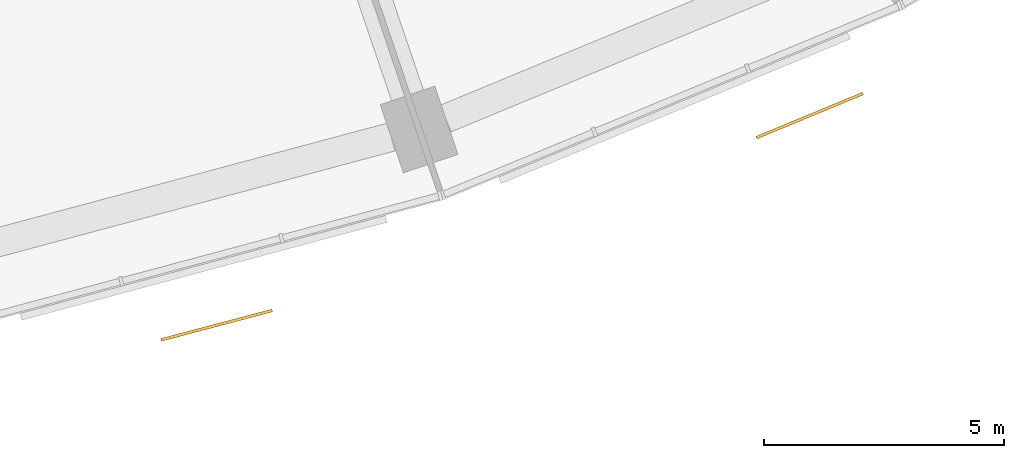
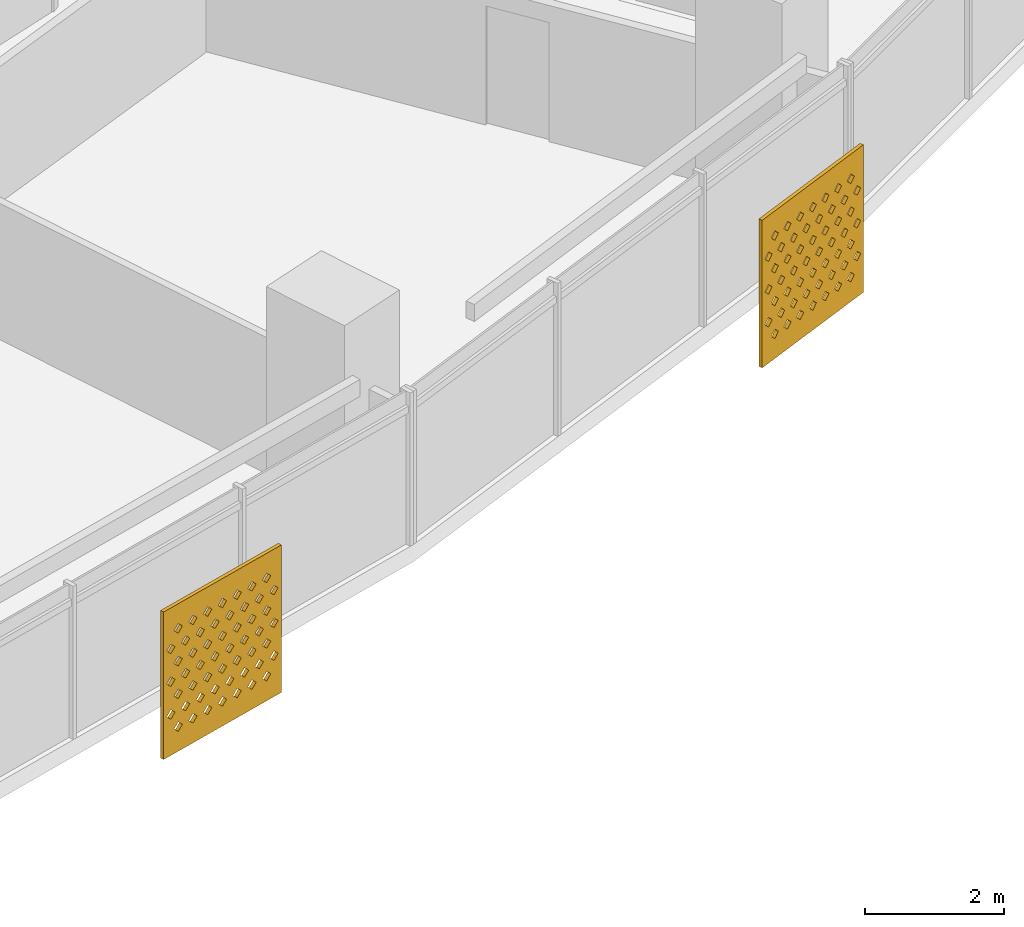
# One storey, part 27 of 29: 2 shading devices.
"""IFC4 building model written with IfcOpenShell, lengths in metres."""

import ifcopenshell
import ifcopenshell.guid

model = None  # the IFC model being written
_history = None  # IfcOwnerHistory: only IFC2X3 demands one
_inside = {}  # id of a spatial element -> (the spatial element, [elements in it])
_under = {}  # id of a project, library or spatial element -> (it, [spatial elements below it])
_declared = {}  # id of a project -> (the project, [libraries it declares])
_typed = {}  # id of a type object -> (the type object, [elements of that type])
_made_of = {}  # id of a material, layer set ... -> (it, [elements and type objects made of it])


def new_model(schema):
    """Start an empty IFC model of exactly this schema.

    Asked for "IFC4X3", IfcOpenShell would pick the latest addendum, in which some entities
    have other attributes; the version numbers below select the first issue.
    IFC2X3 requires an IfcOwnerHistory on every rooted entity: one is made here for all.
    """
    global model, _history
    if schema == "IFC4X3":
        model = ifcopenshell.file(schema_version=(4, 3, 0, 0))
    else:
        model = ifcopenshell.file(schema=schema)
    _inside.clear()
    _under.clear()
    _declared.clear()
    _typed.clear()
    _made_of.clear()
    _history = None
    if model.schema == "IFC2X3":
        org = make("IfcOrganization", Name="unknown")
        user = make(
            "IfcPersonAndOrganization",
            ThePerson=make("IfcPerson", FamilyName="unknown"),
            TheOrganization=org,
        )
        app = make(
            "IfcApplication",
            ApplicationDeveloper=org,
            Version="unknown",
            ApplicationFullName="unknown",
            ApplicationIdentifier="unknown",
        )
        _history = make(
            "IfcOwnerHistory",
            OwningUser=user,
            OwningApplication=app,
            ChangeAction="ADDED",
            CreationDate=0,
        )
    return model


def make(cls, **values):
    """One entity of the class cls with the attributes given. An attribute that is None is left unset."""
    return model.create_entity(
        cls, **{name: value for name, value in values.items() if value is not None}
    )


def rooted(cls, **values):
    """An entity with a GlobalId (a new one), such as an element, a storey or a relation."""
    return make(cls, GlobalId=ifcopenshell.guid.new(), OwnerHistory=_history, **values)


def si_unit(unit_type, name, prefix=None):
    """IfcSIUnit, for example si_unit("LENGTHUNIT", "METRE", prefix="MILLI")."""
    return make("IfcSIUnit", UnitType=unit_type, Prefix=prefix, Name=name)


def assignment(units):
    """IfcUnitAssignment: the units of a project."""
    return None if units is None else make("IfcUnitAssignment", Units=units)


def point(xyz):
    """IfcCartesianPoint."""
    return None if xyz is None else make("IfcCartesianPoint", Coordinates=xyz)


def direction(xyz):
    """IfcDirection."""
    return None if xyz is None else make("IfcDirection", DirectionRatios=xyz)


def frame(location, z_axis=None, x_axis=None):
    """IfcAxis2Placement3D, a coordinate frame: its origin and axes. An axis left out is left unset."""
    return make(
        "IfcAxis2Placement3D",
        Location=point(location),
        Axis=direction(z_axis),
        RefDirection=direction(x_axis),
    )


def origin():
    """The frame at (0, 0, 0) with its axes left unset."""
    return frame((0.0, 0.0, 0.0))


def place(relative_to, where):
    """IfcLocalPlacement: puts the frame where relative to a parent placement (None: the world)."""
    return make(
        "IfcLocalPlacement", PlacementRelTo=relative_to, RelativePlacement=where
    )


def context(
    kind, dimensions, precision=None, world=None, true_north=None, identifier=None
):
    """IfcGeometricRepresentationContext, for example the 3D "Model" context."""
    return make(
        "IfcGeometricRepresentationContext",
        ContextIdentifier=identifier,
        ContextType=kind,
        CoordinateSpaceDimension=dimensions,
        Precision=precision,
        WorldCoordinateSystem=world,
        TrueNorth=true_north,
    )


def subcontext(parent, identifier, kind, view, scale=None):
    """IfcGeometricRepresentationSubContext, for example "Body" below "Model"."""
    return make(
        "IfcGeometricRepresentationSubContext",
        ContextIdentifier=identifier,
        ContextType=kind,
        ParentContext=parent,
        TargetScale=scale,
        TargetView=view,
    )


def project(units=None, contexts=None):
    """IfcProject with its units and contexts."""
    return rooted(
        "IfcProject",
        Name="project",
        RepresentationContexts=contexts,
        UnitsInContext=assignment(units),
    )


def spatial(cls, under=None, at=None, **own):
    """A site, building, storey or space (cls), placed at a placement, below another one or the project."""
    s = rooted(cls, ObjectPlacement=at, **own)
    if under is not None:
        _under.setdefault(under.id(), (under, []))[1].append(s)
    return s


def polyline(points):
    """IfcPolyline through the points."""
    return make("IfcPolyline", Points=[point(p) for p in points])


def outline(outer, holes=None, kind="AREA"):
    """IfcArbitraryClosedProfileDef: a profile drawn as a closed curve; with holes, ...WithVoids."""
    if holes is None:
        return make("IfcArbitraryClosedProfileDef", ProfileType=kind, OuterCurve=outer)
    return make(
        "IfcArbitraryProfileDefWithVoids",
        ProfileType=kind,
        OuterCurve=outer,
        InnerCurves=holes,
    )


def extrude(swept, where, along, depth):
    """IfcExtrudedAreaSolid: the profile swept, set in the frame where, extruded along a direction by depth."""
    return make(
        "IfcExtrudedAreaSolid",
        SweptArea=swept,
        Position=where,
        ExtrudedDirection=direction(along),
        Depth=depth,
    )


def shape(context_of_items, identifier, shape_type, items):
    """IfcShapeRepresentation: the items that make up one representation, for example the "Body"."""
    return make(
        "IfcShapeRepresentation",
        ContextOfItems=context_of_items,
        RepresentationIdentifier=identifier,
        RepresentationType=shape_type,
        Items=items,
    )


def material(Name=None, Category=None):
    """IfcMaterial."""
    return make("IfcMaterial", Name=Name, Category=Category)


def material_profile(
    of_material, cross_section, Name=None, Category=None, Priority=None
):
    """IfcMaterialProfile: a cross section and its material."""
    return make(
        "IfcMaterialProfile",
        Name=Name,
        Material=of_material,
        Profile=cross_section,
        Priority=Priority,
        Category=Category,
    )


def profile_set(profiles, Name=None, composite=None):
    """IfcMaterialProfileSet."""
    return make(
        "IfcMaterialProfileSet",
        Name=Name,
        MaterialProfiles=profiles,
        CompositeProfile=composite,
    )


def made_of(thing, what):
    """Note that an element or type object is made of a material, layer set ...; save() writes the relation."""
    if what is not None:
        _made_of.setdefault(what.id(), (what, []))[1].append(thing)
    return thing


def type_object(cls, material=None, **own):
    """A type object (cls), such as IfcWallType, which elements share."""
    return made_of(rooted(cls, **own), material)


def element(
    cls,
    number,
    at=None,
    inside=None,
    cuts=None,
    type_object=None,
    material=None,
    context=None,
    identifier="Body",
    shape_type=None,
    held_by="IfcProductDefinitionShape",
    body=None,
    shapes=None,
    **own,
):
    """One element of the class cls, such as IfcWall. Its Tag is "e" and its number.

    at: its placement. inside: the storey or other place that contains it. cuts: it is an
    opening in that element (IfcRelVoidsElement). A single representation is given by context,
    identifier, shape_type and body (its items); several are given by shapes. held_by: the class
    of the entity that holds the representations. save() writes the other relations.
    """
    e = rooted(cls, Tag="e%d" % number, ObjectPlacement=at, **own)
    if body is not None:
        shapes = [shape(context, identifier, shape_type, body)]
    if shapes is not None:
        e.Representation = make(held_by, Representations=shapes)
    if inside is not None:
        _inside.setdefault(inside.id(), (inside, []))[1].append(e)
    if cuts is not None:
        rooted(
            "IfcRelVoidsElement", RelatingBuildingElement=cuts, RelatedOpeningElement=e
        )
    if type_object is not None:
        _typed.setdefault(type_object.id(), (type_object, []))[1].append(e)
    return made_of(e, material)


def aggregate(whole, parts):
    """IfcRelAggregates: a whole, such as a stair, and the parts it consists of."""
    return rooted("IfcRelAggregates", RelatingObject=whole, RelatedObjects=parts)


def save(model, path):
    """Write the relations noted so far, then the file.

    IfcRelAggregates (storeys below a building ...), IfcRelContainedInSpatialStructure (elements
    in a storey), IfcRelDefinesByType, IfcRelAssociatesMaterial and IfcRelDeclares: one each for
    every whole, place, type object, material and project.
    """
    for whole, parts in _under.values():
        aggregate(whole, parts)
    for where, things in _inside.values():
        rooted(
            "IfcRelContainedInSpatialStructure",
            RelatedElements=things,
            RelatingStructure=where,
        )
    for kind, things in _typed.values():
        rooted("IfcRelDefinesByType", RelatedObjects=things, RelatingType=kind)
    for what, things in _made_of.values():
        rooted("IfcRelAssociatesMaterial", RelatedObjects=things, RelatingMaterial=what)
    for by, libraries in _declared.values():
        rooted("IfcRelDeclares", RelatingContext=by, RelatedDefinitions=libraries)
    model.write(path)


model = new_model("IFC4")

# Units and contexts
model_context = context("Model", 3, precision=1e-05, world=origin(), true_north=direction((0.0, 1.0)))
body_context = subcontext(model_context, "Body", "Model", "MODEL_VIEW")
ifc_project = project(units=[si_unit("LENGTHUNIT", "METRE"), si_unit("AREAUNIT", "SQUARE_METRE"), si_unit("VOLUMEUNIT", "CUBIC_METRE"), si_unit("PLANEANGLEUNIT", "RADIAN"), si_unit("MASSUNIT", "GRAM", prefix="KILO")], contexts=[model_context])

# Site, building, storey
site_placement = place(None, origin())
site = spatial("IfcSite", under=ifc_project, at=site_placement, CompositionType="ELEMENT")
building_placement = place(site_placement, origin())
building = spatial("IfcBuilding", under=site, at=building_placement, Name="Qamariyya Broadcast Tower", CompositionType="ELEMENT")
storey_placement = place(building_placement, frame((0.0, 0.0, 113.89990234375)))
storey = spatial("IfcBuildingStorey", under=building, at=storey_placement, Name="L25", CompositionType="ELEMENT", Elevation=113.89990234375)

# Shading devices
ifc_material = material(Name="Perforated glazed terracotta", Category="masonry")
ifc_material_profile = material_profile(ifc_material, outline(polyline([(-1.199951171875, -1.300048828125), (1.199951171875, -1.300048828125), (1.199951171875, 1.300048828125), (-1.199951171875, 1.300048828125), (-1.199951171875, -1.300048828125)]), holes=[polyline([(-0.81494140625, -0.86669921875), (-0.89990234375, -0.78173828125), (-0.985107421875, -0.86669921875), (-0.89990234375, -0.95166015625), (-0.81494140625, -0.86669921875)]), polyline([(-0.514892578125, -0.86669921875), (-0.60009765625, -0.78173828125), (-0.68505859375, -0.86669921875), (-0.60009765625, -0.95166015625), (-0.514892578125, -0.86669921875)]), polyline([(-0.215087890625, -0.86669921875), (-0.300048828125, -0.78173828125), (-0.385009765625, -0.86669921875), (-0.300048828125, -0.95166015625), (-0.215087890625, -0.86669921875)]), polyline([(0.0849609375, -0.86669921875), (0.0, -0.78173828125), (-0.0849609375, -0.86669921875), (0.0, -0.95166015625), (0.0849609375, -0.86669921875)]), polyline([(0.385009765625, -0.86669921875), (0.300048828125, -0.78173828125), (0.215087890625, -0.86669921875), (0.300048828125, -0.95166015625), (0.385009765625, -0.86669921875)]), polyline([(0.68505859375, -0.86669921875), (0.60009765625, -0.78173828125), (0.514892578125, -0.86669921875), (0.60009765625, -0.95166015625), (0.68505859375, -0.86669921875)]), polyline([(0.985107421875, -0.86669921875), (0.89990234375, -0.78173828125), (0.81494140625, -0.86669921875), (0.89990234375, -0.95166015625), (0.985107421875, -0.86669921875)]), polyline([(-0.965087890625, -0.577880859375), (-1.050048828125, -0.49267578125), (-1.135009765625, -0.577880859375), (-1.050048828125, -0.662841796875), (-0.965087890625, -0.577880859375)]), polyline([(-0.6650390625, -0.577880859375), (-0.75, -0.49267578125), (-0.8349609375, -0.577880859375), (-0.75, -0.662841796875), (-0.6650390625, -0.577880859375)]), polyline([(-0.364990234375, -0.577880859375), (-0.449951171875, -0.49267578125), (-0.534912109375, -0.577880859375), (-0.449951171875, -0.662841796875), (-0.364990234375, -0.577880859375)]), polyline([(-0.06494140625, -0.577880859375), (-0.14990234375, -0.49267578125), (-0.235107421875, -0.577880859375), (-0.14990234375, -0.662841796875), (-0.06494140625, -0.577880859375)]), polyline([(0.235107421875, -0.577880859375), (0.14990234375, -0.49267578125), (0.06494140625, -0.577880859375), (0.14990234375, -0.662841796875), (0.235107421875, -0.577880859375)]), polyline([(0.534912109375, -0.577880859375), (0.449951171875, -0.49267578125), (0.364990234375, -0.577880859375), (0.449951171875, -0.662841796875), (0.534912109375, -0.577880859375)]), polyline([(0.8349609375, -0.577880859375), (0.75, -0.49267578125), (0.6650390625, -0.577880859375), (0.75, -0.662841796875), (0.8349609375, -0.577880859375)]), polyline([(1.135009765625, -0.577880859375), (1.050048828125, -0.49267578125), (0.965087890625, -0.577880859375), (1.050048828125, -0.662841796875), (1.135009765625, -0.577880859375)]), polyline([(-0.81494140625, -0.288818359375), (-0.89990234375, -0.203857421875), (-0.985107421875, -0.288818359375), (-0.89990234375, -0.373779296875), (-0.81494140625, -0.288818359375)]), polyline([(-0.514892578125, -0.288818359375), (-0.60009765625, -0.203857421875), (-0.68505859375, -0.288818359375), (-0.60009765625, -0.373779296875), (-0.514892578125, -0.288818359375)]), polyline([(-0.215087890625, -0.288818359375), (-0.300048828125, -0.203857421875), (-0.385009765625, -0.288818359375), (-0.300048828125, -0.373779296875), (-0.215087890625, -0.288818359375)]), polyline([(0.0849609375, -0.288818359375), (0.0, -0.203857421875), (-0.0849609375, -0.288818359375), (0.0, -0.373779296875), (0.0849609375, -0.288818359375)]), polyline([(0.385009765625, -0.288818359375), (0.300048828125, -0.203857421875), (0.215087890625, -0.288818359375), (0.300048828125, -0.373779296875), (0.385009765625, -0.288818359375)]), polyline([(0.68505859375, -0.288818359375), (0.60009765625, -0.203857421875), (0.514892578125, -0.288818359375), (0.60009765625, -0.373779296875), (0.68505859375, -0.288818359375)]), polyline([(0.985107421875, -0.288818359375), (0.89990234375, -0.203857421875), (0.81494140625, -0.288818359375), (0.89990234375, -0.373779296875), (0.985107421875, -0.288818359375)]), polyline([(-0.965087890625, 0.0), (-1.050048828125, 0.0849609375), (-1.135009765625, 0.0), (-1.050048828125, -0.0849609375), (-0.965087890625, 0.0)]), polyline([(-0.6650390625, 0.0), (-0.75, 0.0849609375), (-0.8349609375, 0.0), (-0.75, -0.0849609375), (-0.6650390625, 0.0)]), polyline([(-0.364990234375, 0.0), (-0.449951171875, 0.0849609375), (-0.534912109375, 0.0), (-0.449951171875, -0.0849609375), (-0.364990234375, 0.0)]), polyline([(-0.06494140625, 0.0), (-0.14990234375, 0.0849609375), (-0.235107421875, 0.0), (-0.14990234375, -0.0849609375), (-0.06494140625, 0.0)]), polyline([(0.235107421875, 0.0), (0.14990234375, 0.0849609375), (0.06494140625, 0.0), (0.14990234375, -0.0849609375), (0.235107421875, 0.0)]), polyline([(0.534912109375, 0.0), (0.449951171875, 0.0849609375), (0.364990234375, 0.0), (0.449951171875, -0.0849609375), (0.534912109375, 0.0)]), polyline([(0.8349609375, 0.0), (0.75, 0.0849609375), (0.6650390625, 0.0), (0.75, -0.0849609375), (0.8349609375, 0.0)]), polyline([(1.135009765625, 0.0), (1.050048828125, 0.0849609375), (0.965087890625, 0.0), (1.050048828125, -0.0849609375), (1.135009765625, 0.0)]), polyline([(-0.81494140625, 0.288818359375), (-0.89990234375, 0.373779296875), (-0.985107421875, 0.288818359375), (-0.89990234375, 0.203857421875), (-0.81494140625, 0.288818359375)]), polyline([(-0.514892578125, 0.288818359375), (-0.60009765625, 0.373779296875), (-0.68505859375, 0.288818359375), (-0.60009765625, 0.203857421875), (-0.514892578125, 0.288818359375)]), polyline([(-0.215087890625, 0.288818359375), (-0.300048828125, 0.373779296875), (-0.385009765625, 0.288818359375), (-0.300048828125, 0.203857421875), (-0.215087890625, 0.288818359375)]), polyline([(0.0849609375, 0.288818359375), (0.0, 0.373779296875), (-0.0849609375, 0.288818359375), (0.0, 0.203857421875), (0.0849609375, 0.288818359375)]), polyline([(0.385009765625, 0.288818359375), (0.300048828125, 0.373779296875), (0.215087890625, 0.288818359375), (0.300048828125, 0.203857421875), (0.385009765625, 0.288818359375)]), polyline([(0.68505859375, 0.288818359375), (0.60009765625, 0.373779296875), (0.514892578125, 0.288818359375), (0.60009765625, 0.203857421875), (0.68505859375, 0.288818359375)]), polyline([(0.985107421875, 0.288818359375), (0.89990234375, 0.373779296875), (0.81494140625, 0.288818359375), (0.89990234375, 0.203857421875), (0.985107421875, 0.288818359375)]), polyline([(-0.965087890625, 0.577880859375), (-1.050048828125, 0.662841796875), (-1.135009765625, 0.577880859375), (-1.050048828125, 0.49267578125), (-0.965087890625, 0.577880859375)]), polyline([(-0.6650390625, 0.577880859375), (-0.75, 0.662841796875), (-0.8349609375, 0.577880859375), (-0.75, 0.49267578125), (-0.6650390625, 0.577880859375)]), polyline([(-0.364990234375, 0.577880859375), (-0.449951171875, 0.662841796875), (-0.534912109375, 0.577880859375), (-0.449951171875, 0.49267578125), (-0.364990234375, 0.577880859375)]), polyline([(-0.06494140625, 0.577880859375), (-0.14990234375, 0.662841796875), (-0.235107421875, 0.577880859375), (-0.14990234375, 0.49267578125), (-0.06494140625, 0.577880859375)]), polyline([(0.235107421875, 0.577880859375), (0.14990234375, 0.662841796875), (0.06494140625, 0.577880859375), (0.14990234375, 0.49267578125), (0.235107421875, 0.577880859375)]), polyline([(0.534912109375, 0.577880859375), (0.449951171875, 0.662841796875), (0.364990234375, 0.577880859375), (0.449951171875, 0.49267578125), (0.534912109375, 0.577880859375)]), polyline([(0.8349609375, 0.577880859375), (0.75, 0.662841796875), (0.6650390625, 0.577880859375), (0.75, 0.49267578125), (0.8349609375, 0.577880859375)]), polyline([(1.135009765625, 0.577880859375), (1.050048828125, 0.662841796875), (0.965087890625, 0.577880859375), (1.050048828125, 0.49267578125), (1.135009765625, 0.577880859375)]), polyline([(-0.81494140625, 0.86669921875), (-0.89990234375, 0.95166015625), (-0.985107421875, 0.86669921875), (-0.89990234375, 0.78173828125), (-0.81494140625, 0.86669921875)]), polyline([(-0.514892578125, 0.86669921875), (-0.60009765625, 0.95166015625), (-0.68505859375, 0.86669921875), (-0.60009765625, 0.78173828125), (-0.514892578125, 0.86669921875)]), polyline([(-0.215087890625, 0.86669921875), (-0.300048828125, 0.95166015625), (-0.385009765625, 0.86669921875), (-0.300048828125, 0.78173828125), (-0.215087890625, 0.86669921875)]), polyline([(0.0849609375, 0.86669921875), (0.0, 0.95166015625), (-0.0849609375, 0.86669921875), (0.0, 0.78173828125), (0.0849609375, 0.86669921875)]), polyline([(0.385009765625, 0.86669921875), (0.300048828125, 0.95166015625), (0.215087890625, 0.86669921875), (0.300048828125, 0.78173828125), (0.385009765625, 0.86669921875)]), polyline([(0.68505859375, 0.86669921875), (0.60009765625, 0.95166015625), (0.514892578125, 0.86669921875), (0.60009765625, 0.78173828125), (0.68505859375, 0.86669921875)]), polyline([(0.985107421875, 0.86669921875), (0.89990234375, 0.95166015625), (0.81494140625, 0.86669921875), (0.89990234375, 0.78173828125), (0.985107421875, 0.86669921875)])]))
ifc_profile_set = profile_set([ifc_material_profile], Name="Perforated glazed terracotta")
shading_device_type = type_object("IfcShadingDeviceType", Name="Perforated terracotta screen 2400 x 2600", PredefinedType="USERDEFINED", material=ifc_profile_set)
shading_device_1_placement = place(storey_placement, frame((20.76416015625, -77.672607421875, 1.35009765625), z_axis=(0.255892560316, -0.966705227862, 0.0), x_axis=(0.966705227862, 0.255892560316, 0.0)))
element("IfcShadingDevice", 1, at=shading_device_1_placement, inside=storey, type_object=shading_device_type, Name="e-scr-L25-11-1", ObjectType="SCREEN", PredefinedType="USERDEFINED", context=body_context, shape_type="SweptSolid", body=[
    extrude(outline(polyline([(-1.199951171875, -1.300048828125), (1.199951171875, -1.300048828125), (1.199951171875, 1.300048828125), (-1.199951171875, 1.300048828125), (-1.199951171875, -1.300048828125)]), holes=[polyline([(-0.81494140625, -0.86669921875), (-0.89990234375, -0.78173828125), (-0.985107421875, -0.86669921875), (-0.89990234375, -0.95166015625), (-0.81494140625, -0.86669921875)]), polyline([(-0.514892578125, -0.86669921875), (-0.60009765625, -0.78173828125), (-0.68505859375, -0.86669921875), (-0.60009765625, -0.95166015625), (-0.514892578125, -0.86669921875)]), polyline([(-0.215087890625, -0.86669921875), (-0.300048828125, -0.78173828125), (-0.385009765625, -0.86669921875), (-0.300048828125, -0.95166015625), (-0.215087890625, -0.86669921875)]), polyline([(0.0849609375, -0.86669921875), (0.0, -0.78173828125), (-0.0849609375, -0.86669921875), (0.0, -0.95166015625), (0.0849609375, -0.86669921875)]), polyline([(0.385009765625, -0.86669921875), (0.300048828125, -0.78173828125), (0.215087890625, -0.86669921875), (0.300048828125, -0.95166015625), (0.385009765625, -0.86669921875)]), polyline([(0.68505859375, -0.86669921875), (0.60009765625, -0.78173828125), (0.514892578125, -0.86669921875), (0.60009765625, -0.95166015625), (0.68505859375, -0.86669921875)]), polyline([(0.985107421875, -0.86669921875), (0.89990234375, -0.78173828125), (0.81494140625, -0.86669921875), (0.89990234375, -0.95166015625), (0.985107421875, -0.86669921875)]), polyline([(-0.965087890625, -0.577880859375), (-1.050048828125, -0.49267578125), (-1.135009765625, -0.577880859375), (-1.050048828125, -0.662841796875), (-0.965087890625, -0.577880859375)]), polyline([(-0.6650390625, -0.577880859375), (-0.75, -0.49267578125), (-0.8349609375, -0.577880859375), (-0.75, -0.662841796875), (-0.6650390625, -0.577880859375)]), polyline([(-0.364990234375, -0.577880859375), (-0.449951171875, -0.49267578125), (-0.534912109375, -0.577880859375), (-0.449951171875, -0.662841796875), (-0.364990234375, -0.577880859375)]), polyline([(-0.06494140625, -0.577880859375), (-0.14990234375, -0.49267578125), (-0.235107421875, -0.577880859375), (-0.14990234375, -0.662841796875), (-0.06494140625, -0.577880859375)]), polyline([(0.235107421875, -0.577880859375), (0.14990234375, -0.49267578125), (0.06494140625, -0.577880859375), (0.14990234375, -0.662841796875), (0.235107421875, -0.577880859375)]), polyline([(0.534912109375, -0.577880859375), (0.449951171875, -0.49267578125), (0.364990234375, -0.577880859375), (0.449951171875, -0.662841796875), (0.534912109375, -0.577880859375)]), polyline([(0.8349609375, -0.577880859375), (0.75, -0.49267578125), (0.6650390625, -0.577880859375), (0.75, -0.662841796875), (0.8349609375, -0.577880859375)]), polyline([(1.135009765625, -0.577880859375), (1.050048828125, -0.49267578125), (0.965087890625, -0.577880859375), (1.050048828125, -0.662841796875), (1.135009765625, -0.577880859375)]), polyline([(-0.81494140625, -0.288818359375), (-0.89990234375, -0.203857421875), (-0.985107421875, -0.288818359375), (-0.89990234375, -0.373779296875), (-0.81494140625, -0.288818359375)]), polyline([(-0.514892578125, -0.288818359375), (-0.60009765625, -0.203857421875), (-0.68505859375, -0.288818359375), (-0.60009765625, -0.373779296875), (-0.514892578125, -0.288818359375)]), polyline([(-0.215087890625, -0.288818359375), (-0.300048828125, -0.203857421875), (-0.385009765625, -0.288818359375), (-0.300048828125, -0.373779296875), (-0.215087890625, -0.288818359375)]), polyline([(0.0849609375, -0.288818359375), (0.0, -0.203857421875), (-0.0849609375, -0.288818359375), (0.0, -0.373779296875), (0.0849609375, -0.288818359375)]), polyline([(0.385009765625, -0.288818359375), (0.300048828125, -0.203857421875), (0.215087890625, -0.288818359375), (0.300048828125, -0.373779296875), (0.385009765625, -0.288818359375)]), polyline([(0.68505859375, -0.288818359375), (0.60009765625, -0.203857421875), (0.514892578125, -0.288818359375), (0.60009765625, -0.373779296875), (0.68505859375, -0.288818359375)]), polyline([(0.985107421875, -0.288818359375), (0.89990234375, -0.203857421875), (0.81494140625, -0.288818359375), (0.89990234375, -0.373779296875), (0.985107421875, -0.288818359375)]), polyline([(-0.965087890625, 0.0), (-1.050048828125, 0.0849609375), (-1.135009765625, 0.0), (-1.050048828125, -0.0849609375), (-0.965087890625, 0.0)]), polyline([(-0.6650390625, 0.0), (-0.75, 0.0849609375), (-0.8349609375, 0.0), (-0.75, -0.0849609375), (-0.6650390625, 0.0)]), polyline([(-0.364990234375, 0.0), (-0.449951171875, 0.0849609375), (-0.534912109375, 0.0), (-0.449951171875, -0.0849609375), (-0.364990234375, 0.0)]), polyline([(-0.06494140625, 0.0), (-0.14990234375, 0.0849609375), (-0.235107421875, 0.0), (-0.14990234375, -0.0849609375), (-0.06494140625, 0.0)]), polyline([(0.235107421875, 0.0), (0.14990234375, 0.0849609375), (0.06494140625, 0.0), (0.14990234375, -0.0849609375), (0.235107421875, 0.0)]), polyline([(0.534912109375, 0.0), (0.449951171875, 0.0849609375), (0.364990234375, 0.0), (0.449951171875, -0.0849609375), (0.534912109375, 0.0)]), polyline([(0.8349609375, 0.0), (0.75, 0.0849609375), (0.6650390625, 0.0), (0.75, -0.0849609375), (0.8349609375, 0.0)]), polyline([(1.135009765625, 0.0), (1.050048828125, 0.0849609375), (0.965087890625, 0.0), (1.050048828125, -0.0849609375), (1.135009765625, 0.0)]), polyline([(-0.81494140625, 0.288818359375), (-0.89990234375, 0.373779296875), (-0.985107421875, 0.288818359375), (-0.89990234375, 0.203857421875), (-0.81494140625, 0.288818359375)]), polyline([(-0.514892578125, 0.288818359375), (-0.60009765625, 0.373779296875), (-0.68505859375, 0.288818359375), (-0.60009765625, 0.203857421875), (-0.514892578125, 0.288818359375)]), polyline([(-0.215087890625, 0.288818359375), (-0.300048828125, 0.373779296875), (-0.385009765625, 0.288818359375), (-0.300048828125, 0.203857421875), (-0.215087890625, 0.288818359375)]), polyline([(0.0849609375, 0.288818359375), (0.0, 0.373779296875), (-0.0849609375, 0.288818359375), (0.0, 0.203857421875), (0.0849609375, 0.288818359375)]), polyline([(0.385009765625, 0.288818359375), (0.300048828125, 0.373779296875), (0.215087890625, 0.288818359375), (0.300048828125, 0.203857421875), (0.385009765625, 0.288818359375)]), polyline([(0.68505859375, 0.288818359375), (0.60009765625, 0.373779296875), (0.514892578125, 0.288818359375), (0.60009765625, 0.203857421875), (0.68505859375, 0.288818359375)]), polyline([(0.985107421875, 0.288818359375), (0.89990234375, 0.373779296875), (0.81494140625, 0.288818359375), (0.89990234375, 0.203857421875), (0.985107421875, 0.288818359375)]), polyline([(-0.965087890625, 0.577880859375), (-1.050048828125, 0.662841796875), (-1.135009765625, 0.577880859375), (-1.050048828125, 0.49267578125), (-0.965087890625, 0.577880859375)]), polyline([(-0.6650390625, 0.577880859375), (-0.75, 0.662841796875), (-0.8349609375, 0.577880859375), (-0.75, 0.49267578125), (-0.6650390625, 0.577880859375)]), polyline([(-0.364990234375, 0.577880859375), (-0.449951171875, 0.662841796875), (-0.534912109375, 0.577880859375), (-0.449951171875, 0.49267578125), (-0.364990234375, 0.577880859375)]), polyline([(-0.06494140625, 0.577880859375), (-0.14990234375, 0.662841796875), (-0.235107421875, 0.577880859375), (-0.14990234375, 0.49267578125), (-0.06494140625, 0.577880859375)]), polyline([(0.235107421875, 0.577880859375), (0.14990234375, 0.662841796875), (0.06494140625, 0.577880859375), (0.14990234375, 0.49267578125), (0.235107421875, 0.577880859375)]), polyline([(0.534912109375, 0.577880859375), (0.449951171875, 0.662841796875), (0.364990234375, 0.577880859375), (0.449951171875, 0.49267578125), (0.534912109375, 0.577880859375)]), polyline([(0.8349609375, 0.577880859375), (0.75, 0.662841796875), (0.6650390625, 0.577880859375), (0.75, 0.49267578125), (0.8349609375, 0.577880859375)]), polyline([(1.135009765625, 0.577880859375), (1.050048828125, 0.662841796875), (0.965087890625, 0.577880859375), (1.050048828125, 0.49267578125), (1.135009765625, 0.577880859375)]), polyline([(-0.81494140625, 0.86669921875), (-0.89990234375, 0.95166015625), (-0.985107421875, 0.86669921875), (-0.89990234375, 0.78173828125), (-0.81494140625, 0.86669921875)]), polyline([(-0.514892578125, 0.86669921875), (-0.60009765625, 0.95166015625), (-0.68505859375, 0.86669921875), (-0.60009765625, 0.78173828125), (-0.514892578125, 0.86669921875)]), polyline([(-0.215087890625, 0.86669921875), (-0.300048828125, 0.95166015625), (-0.385009765625, 0.86669921875), (-0.300048828125, 0.78173828125), (-0.215087890625, 0.86669921875)]), polyline([(0.0849609375, 0.86669921875), (0.0, 0.95166015625), (-0.0849609375, 0.86669921875), (0.0, 0.78173828125), (0.0849609375, 0.86669921875)]), polyline([(0.385009765625, 0.86669921875), (0.300048828125, 0.95166015625), (0.215087890625, 0.86669921875), (0.300048828125, 0.78173828125), (0.385009765625, 0.86669921875)]), polyline([(0.68505859375, 0.86669921875), (0.60009765625, 0.95166015625), (0.514892578125, 0.86669921875), (0.60009765625, 0.78173828125), (0.68505859375, 0.86669921875)]), polyline([(0.985107421875, 0.86669921875), (0.89990234375, 0.95166015625), (0.81494140625, 0.86669921875), (0.89990234375, 0.78173828125), (0.985107421875, 0.86669921875)])]), origin(), (0.0, 0.0, 1.0), 0.06005859375),
])
shading_device_2_placement = place(storey_placement, frame((33.12060546875, -73.3056640625, 1.35009765625), z_axis=(0.382591441855, -0.923917630863, 0.0), x_axis=(0.923917630863, 0.382591441855, 0.0)))
element("IfcShadingDevice", 2, at=shading_device_2_placement, inside=storey, type_object=shading_device_type, Name="e-scr-L25-12-2", ObjectType="SCREEN", PredefinedType="USERDEFINED", context=body_context, shape_type="SweptSolid", body=[
    extrude(outline(polyline([(-1.199951171875, -1.300048828125), (1.199951171875, -1.300048828125), (1.199951171875, 1.300048828125), (-1.199951171875, 1.300048828125), (-1.199951171875, -1.300048828125)]), holes=[polyline([(-0.81494140625, -0.86669921875), (-0.89990234375, -0.78173828125), (-0.985107421875, -0.86669921875), (-0.89990234375, -0.95166015625), (-0.81494140625, -0.86669921875)]), polyline([(-0.514892578125, -0.86669921875), (-0.60009765625, -0.78173828125), (-0.68505859375, -0.86669921875), (-0.60009765625, -0.95166015625), (-0.514892578125, -0.86669921875)]), polyline([(-0.215087890625, -0.86669921875), (-0.300048828125, -0.78173828125), (-0.385009765625, -0.86669921875), (-0.300048828125, -0.95166015625), (-0.215087890625, -0.86669921875)]), polyline([(0.0849609375, -0.86669921875), (0.0, -0.78173828125), (-0.0849609375, -0.86669921875), (0.0, -0.95166015625), (0.0849609375, -0.86669921875)]), polyline([(0.385009765625, -0.86669921875), (0.300048828125, -0.78173828125), (0.215087890625, -0.86669921875), (0.300048828125, -0.95166015625), (0.385009765625, -0.86669921875)]), polyline([(0.68505859375, -0.86669921875), (0.60009765625, -0.78173828125), (0.514892578125, -0.86669921875), (0.60009765625, -0.95166015625), (0.68505859375, -0.86669921875)]), polyline([(0.985107421875, -0.86669921875), (0.89990234375, -0.78173828125), (0.81494140625, -0.86669921875), (0.89990234375, -0.95166015625), (0.985107421875, -0.86669921875)]), polyline([(-0.965087890625, -0.577880859375), (-1.050048828125, -0.49267578125), (-1.135009765625, -0.577880859375), (-1.050048828125, -0.662841796875), (-0.965087890625, -0.577880859375)]), polyline([(-0.6650390625, -0.577880859375), (-0.75, -0.49267578125), (-0.8349609375, -0.577880859375), (-0.75, -0.662841796875), (-0.6650390625, -0.577880859375)]), polyline([(-0.364990234375, -0.577880859375), (-0.449951171875, -0.49267578125), (-0.534912109375, -0.577880859375), (-0.449951171875, -0.662841796875), (-0.364990234375, -0.577880859375)]), polyline([(-0.06494140625, -0.577880859375), (-0.14990234375, -0.49267578125), (-0.235107421875, -0.577880859375), (-0.14990234375, -0.662841796875), (-0.06494140625, -0.577880859375)]), polyline([(0.235107421875, -0.577880859375), (0.14990234375, -0.49267578125), (0.06494140625, -0.577880859375), (0.14990234375, -0.662841796875), (0.235107421875, -0.577880859375)]), polyline([(0.534912109375, -0.577880859375), (0.449951171875, -0.49267578125), (0.364990234375, -0.577880859375), (0.449951171875, -0.662841796875), (0.534912109375, -0.577880859375)]), polyline([(0.8349609375, -0.577880859375), (0.75, -0.49267578125), (0.6650390625, -0.577880859375), (0.75, -0.662841796875), (0.8349609375, -0.577880859375)]), polyline([(1.135009765625, -0.577880859375), (1.050048828125, -0.49267578125), (0.965087890625, -0.577880859375), (1.050048828125, -0.662841796875), (1.135009765625, -0.577880859375)]), polyline([(-0.81494140625, -0.288818359375), (-0.89990234375, -0.203857421875), (-0.985107421875, -0.288818359375), (-0.89990234375, -0.373779296875), (-0.81494140625, -0.288818359375)]), polyline([(-0.514892578125, -0.288818359375), (-0.60009765625, -0.203857421875), (-0.68505859375, -0.288818359375), (-0.60009765625, -0.373779296875), (-0.514892578125, -0.288818359375)]), polyline([(-0.215087890625, -0.288818359375), (-0.300048828125, -0.203857421875), (-0.385009765625, -0.288818359375), (-0.300048828125, -0.373779296875), (-0.215087890625, -0.288818359375)]), polyline([(0.0849609375, -0.288818359375), (0.0, -0.203857421875), (-0.0849609375, -0.288818359375), (0.0, -0.373779296875), (0.0849609375, -0.288818359375)]), polyline([(0.385009765625, -0.288818359375), (0.300048828125, -0.203857421875), (0.215087890625, -0.288818359375), (0.300048828125, -0.373779296875), (0.385009765625, -0.288818359375)]), polyline([(0.68505859375, -0.288818359375), (0.60009765625, -0.203857421875), (0.514892578125, -0.288818359375), (0.60009765625, -0.373779296875), (0.68505859375, -0.288818359375)]), polyline([(0.985107421875, -0.288818359375), (0.89990234375, -0.203857421875), (0.81494140625, -0.288818359375), (0.89990234375, -0.373779296875), (0.985107421875, -0.288818359375)]), polyline([(-0.965087890625, 0.0), (-1.050048828125, 0.0849609375), (-1.135009765625, 0.0), (-1.050048828125, -0.0849609375), (-0.965087890625, 0.0)]), polyline([(-0.6650390625, 0.0), (-0.75, 0.0849609375), (-0.8349609375, 0.0), (-0.75, -0.0849609375), (-0.6650390625, 0.0)]), polyline([(-0.364990234375, 0.0), (-0.449951171875, 0.0849609375), (-0.534912109375, 0.0), (-0.449951171875, -0.0849609375), (-0.364990234375, 0.0)]), polyline([(-0.06494140625, 0.0), (-0.14990234375, 0.0849609375), (-0.235107421875, 0.0), (-0.14990234375, -0.0849609375), (-0.06494140625, 0.0)]), polyline([(0.235107421875, 0.0), (0.14990234375, 0.0849609375), (0.06494140625, 0.0), (0.14990234375, -0.0849609375), (0.235107421875, 0.0)]), polyline([(0.534912109375, 0.0), (0.449951171875, 0.0849609375), (0.364990234375, 0.0), (0.449951171875, -0.0849609375), (0.534912109375, 0.0)]), polyline([(0.8349609375, 0.0), (0.75, 0.0849609375), (0.6650390625, 0.0), (0.75, -0.0849609375), (0.8349609375, 0.0)]), polyline([(1.135009765625, 0.0), (1.050048828125, 0.0849609375), (0.965087890625, 0.0), (1.050048828125, -0.0849609375), (1.135009765625, 0.0)]), polyline([(-0.81494140625, 0.288818359375), (-0.89990234375, 0.373779296875), (-0.985107421875, 0.288818359375), (-0.89990234375, 0.203857421875), (-0.81494140625, 0.288818359375)]), polyline([(-0.514892578125, 0.288818359375), (-0.60009765625, 0.373779296875), (-0.68505859375, 0.288818359375), (-0.60009765625, 0.203857421875), (-0.514892578125, 0.288818359375)]), polyline([(-0.215087890625, 0.288818359375), (-0.300048828125, 0.373779296875), (-0.385009765625, 0.288818359375), (-0.300048828125, 0.203857421875), (-0.215087890625, 0.288818359375)]), polyline([(0.0849609375, 0.288818359375), (0.0, 0.373779296875), (-0.0849609375, 0.288818359375), (0.0, 0.203857421875), (0.0849609375, 0.288818359375)]), polyline([(0.385009765625, 0.288818359375), (0.300048828125, 0.373779296875), (0.215087890625, 0.288818359375), (0.300048828125, 0.203857421875), (0.385009765625, 0.288818359375)]), polyline([(0.68505859375, 0.288818359375), (0.60009765625, 0.373779296875), (0.514892578125, 0.288818359375), (0.60009765625, 0.203857421875), (0.68505859375, 0.288818359375)]), polyline([(0.985107421875, 0.288818359375), (0.89990234375, 0.373779296875), (0.81494140625, 0.288818359375), (0.89990234375, 0.203857421875), (0.985107421875, 0.288818359375)]), polyline([(-0.965087890625, 0.577880859375), (-1.050048828125, 0.662841796875), (-1.135009765625, 0.577880859375), (-1.050048828125, 0.49267578125), (-0.965087890625, 0.577880859375)]), polyline([(-0.6650390625, 0.577880859375), (-0.75, 0.662841796875), (-0.8349609375, 0.577880859375), (-0.75, 0.49267578125), (-0.6650390625, 0.577880859375)]), polyline([(-0.364990234375, 0.577880859375), (-0.449951171875, 0.662841796875), (-0.534912109375, 0.577880859375), (-0.449951171875, 0.49267578125), (-0.364990234375, 0.577880859375)]), polyline([(-0.06494140625, 0.577880859375), (-0.14990234375, 0.662841796875), (-0.235107421875, 0.577880859375), (-0.14990234375, 0.49267578125), (-0.06494140625, 0.577880859375)]), polyline([(0.235107421875, 0.577880859375), (0.14990234375, 0.662841796875), (0.06494140625, 0.577880859375), (0.14990234375, 0.49267578125), (0.235107421875, 0.577880859375)]), polyline([(0.534912109375, 0.577880859375), (0.449951171875, 0.662841796875), (0.364990234375, 0.577880859375), (0.449951171875, 0.49267578125), (0.534912109375, 0.577880859375)]), polyline([(0.8349609375, 0.577880859375), (0.75, 0.662841796875), (0.6650390625, 0.577880859375), (0.75, 0.49267578125), (0.8349609375, 0.577880859375)]), polyline([(1.135009765625, 0.577880859375), (1.050048828125, 0.662841796875), (0.965087890625, 0.577880859375), (1.050048828125, 0.49267578125), (1.135009765625, 0.577880859375)]), polyline([(-0.81494140625, 0.86669921875), (-0.89990234375, 0.95166015625), (-0.985107421875, 0.86669921875), (-0.89990234375, 0.78173828125), (-0.81494140625, 0.86669921875)]), polyline([(-0.514892578125, 0.86669921875), (-0.60009765625, 0.95166015625), (-0.68505859375, 0.86669921875), (-0.60009765625, 0.78173828125), (-0.514892578125, 0.86669921875)]), polyline([(-0.215087890625, 0.86669921875), (-0.300048828125, 0.95166015625), (-0.385009765625, 0.86669921875), (-0.300048828125, 0.78173828125), (-0.215087890625, 0.86669921875)]), polyline([(0.0849609375, 0.86669921875), (0.0, 0.95166015625), (-0.0849609375, 0.86669921875), (0.0, 0.78173828125), (0.0849609375, 0.86669921875)]), polyline([(0.385009765625, 0.86669921875), (0.300048828125, 0.95166015625), (0.215087890625, 0.86669921875), (0.300048828125, 0.78173828125), (0.385009765625, 0.86669921875)]), polyline([(0.68505859375, 0.86669921875), (0.60009765625, 0.95166015625), (0.514892578125, 0.86669921875), (0.60009765625, 0.78173828125), (0.68505859375, 0.86669921875)]), polyline([(0.985107421875, 0.86669921875), (0.89990234375, 0.95166015625), (0.81494140625, 0.86669921875), (0.89990234375, 0.78173828125), (0.985107421875, 0.86669921875)])]), origin(), (0.0, 0.0, 1.0), 0.06005859375),
])

save(model, "model.ifc")
